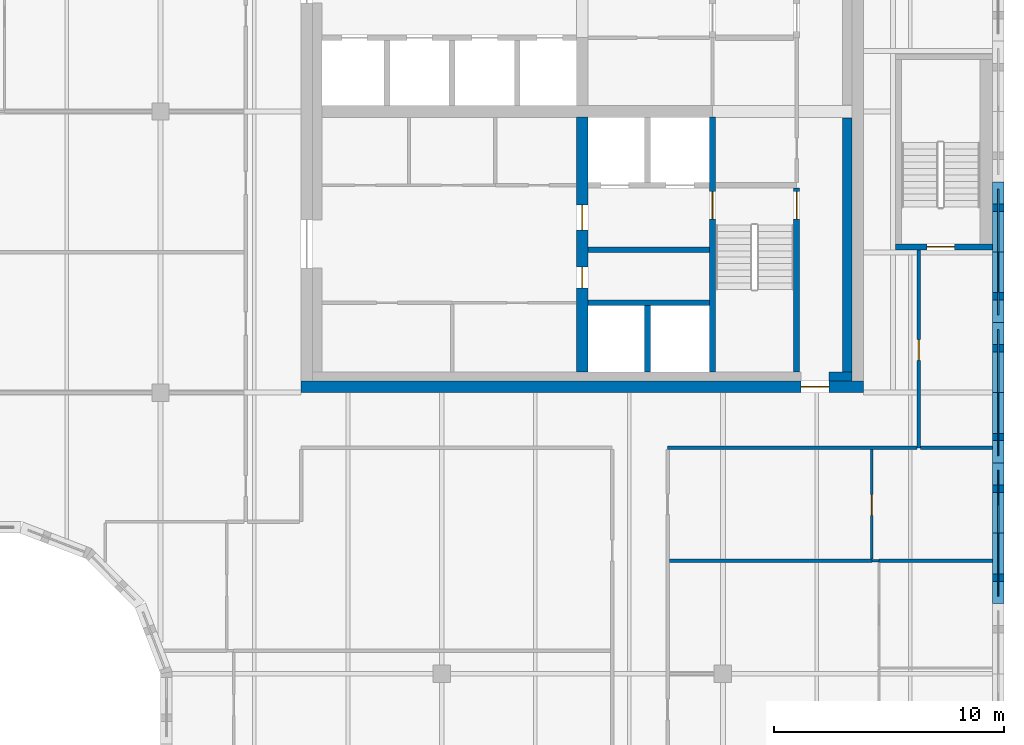
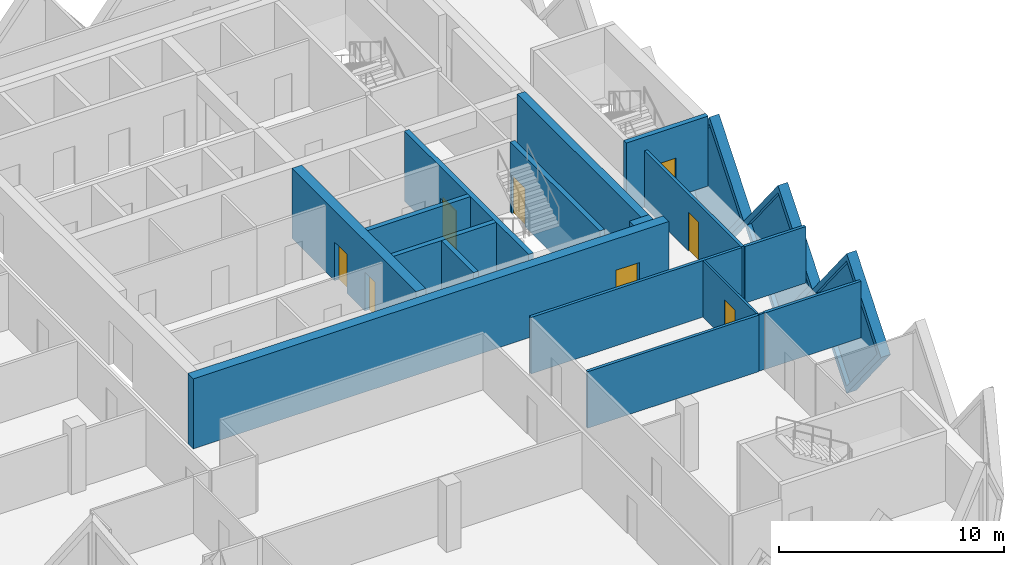
# One storey, part 6 of 12: 20 walls, 8 doors, 3 plates, 11 openings.
"""IFC4 building model written with IfcOpenShell, lengths in metres."""

from ifc_helpers import new_model, si_unit, direction, frame, frame_2d, origin, place, context, subcontext, project, spatial, polyline, rectangle, outline, extrude, faceted_brep, source, transform, mapped, material, layer, layer_set, type_object, element, fill, save


model = new_model("IFC4")

# Units and contexts
model_context = context("Model", 3, precision=1e-05, world=origin(), true_north=direction((0.0, 1.0)))
body_context = subcontext(model_context, "Body", "Model", "MODEL_VIEW")
ifc_project = project(units=[si_unit("LENGTHUNIT", "METRE"), si_unit("AREAUNIT", "SQUARE_METRE"), si_unit("VOLUMEUNIT", "CUBIC_METRE"), si_unit("PLANEANGLEUNIT", "RADIAN"), si_unit("MASSUNIT", "GRAM", prefix="KILO")], contexts=[model_context])

# Site, building, storey
site_placement = place(None, origin())
site = spatial("IfcSite", under=ifc_project, at=site_placement, CompositionType="ELEMENT")
building_placement = place(site_placement, origin())
building = spatial("IfcBuilding", under=site, at=building_placement, Name="Tessera Gate Towers", CompositionType="ELEMENT")
storey_placement = place(building_placement, frame((0.0, 0.0, 216.89990234375)))
storey = spatial("IfcBuildingStorey", under=building, at=storey_placement, Name="L54", CompositionType="ELEMENT", Elevation=216.89990234375)

# Wall, opening, door
ifc_material_1 = material(Name="Concrete C40/50", Category="concrete")
ifc_layer_1 = layer(ifc_material_1, 0.25)
ifc_layer_set_1 = layer_set([ifc_layer_1], Name="CORE ENCLOSURE WALL 250")
wall_type_1 = type_object("IfcWallType", Name="CORE ENCLOSURE WALL 250", PredefinedType="SOLIDWALL", material=ifc_layer_set_1)
wall_1_placement = place(storey_placement, frame((48.35009765625, 36.35009765625, 0.0), z_axis=(0.0, 0.0, 1.0), x_axis=(0.0, -1.0, 0.0)))
wall_1 = element("IfcWall", 1, at=wall_1_placement, inside=storey, type_object=wall_type_1, Name="L54 shaft and stair enclosure wall", PredefinedType="SOLIDWALL", context=body_context, shape_type="SweptSolid", body=[
    extrude(rectangle(XDim=11.050048828125, YDim=0.25, at=frame_2d((5.52490234375, 0.0))), origin(), (0.0, 0.0, 1.0), 3.800048828125),
])
shared_shape_1 = source(origin(), body_context, "Body", "SweptSolid", [
    extrude(rectangle(XDim=1.199951171875, YDim=2.10009765625, at=frame_2d((0.60009765625, 1.050048828125))), frame((0.0, 0.135009765625, 0.0), z_axis=(0.0, -1.0, 0.0), x_axis=(1.0, 0.0, 0.0)), (0.0, 0.0, 1.0), 0.27001953125),
])
opening_1_placement = place(wall_1_placement, frame((3.22509765625, 0.0, 0.0)))
opening_1 = element("IfcOpeningElement", 2, at=opening_1_placement, cuts=wall_1, Name="Opening SD-ST1-1", PredefinedType="OPENING", context=body_context, shape_type="MappedRepresentation", body=[
    mapped(shared_shape_1, transform((0.0, 0.0, 0.0), scale=1.0)),
])
ifc_material_2 = material(Name="Hollow steel fire door", Category="steel")
door_type_1 = type_object("IfcDoorType", Name="CORE DOOR SD 1200x2100", OperationType="NOTDEFINED", PredefinedType="DOOR", material=ifc_material_2)
shared_shape_2 = source(origin(), body_context, "Body", "SweptSolid", [
    extrude(rectangle(XDim=1.199951171875, YDim=2.10009765625, at=frame_2d((0.60009765625, 1.050048828125))), frame((0.0, 0.02490234375, 0.0), z_axis=(0.0, -1.0, 0.0), x_axis=(1.0, 0.0, 0.0)), (0.0, 0.0, 1.0), 0.050048828125),
])
door_1_placement = place(opening_1_placement, origin())
door_1 = element("IfcDoor", 3, at=door_1_placement, inside=storey, type_object=door_type_1, Name="Stair door", OperationType="SINGLE_SWING_LEFT", OverallHeight=2.10009765625, OverallWidth=1.199951171875, PredefinedType="DOOR", context=body_context, shape_type="MappedRepresentation", body=[
    mapped(shared_shape_2, transform((0.0, 0.0, 0.0), scale=1.0)),
])
fill(opening_1, door_1)

wall_2_placement = place(storey_placement, frame((52.0, 25.300048828125, 0.0), z_axis=(0.0, 0.0, 1.0), x_axis=(0.0, 1.0, 0.0)))
wall_2 = element("IfcWall", 4, at=wall_2_placement, inside=storey, type_object=wall_type_1, Name="L54 shaft and stair enclosure wall", PredefinedType="SOLIDWALL", context=body_context, shape_type="SweptSolid", body=[
    extrude(rectangle(XDim=7.974853515625, YDim=0.25, at=frame_2d((3.9873046875, 0.0))), origin(), (0.0, 0.0, 1.0), 3.800048828125),
])
opening_2_placement = place(wall_2_placement, frame((6.625, 0.0, 0.0)))
opening_2 = element("IfcOpeningElement", 5, at=opening_2_placement, cuts=wall_2, Name="Opening SD-ST1-2", PredefinedType="OPENING", context=body_context, shape_type="MappedRepresentation", body=[
    mapped(shared_shape_1, transform((0.0, 0.0, 0.0), scale=1.0)),
])
door_2_placement = place(opening_2_placement, origin())
door_2 = element("IfcDoor", 6, at=door_2_placement, inside=storey, type_object=door_type_1, Name="Stair door", OperationType="SINGLE_SWING_RIGHT", OverallHeight=2.10009765625, OverallWidth=1.199951171875, PredefinedType="DOOR", context=body_context, shape_type="MappedRepresentation", body=[
    mapped(shared_shape_2, transform((0.0, 0.0, 0.0), scale=1.0)),
])
fill(opening_2, door_2)

# Walls
for number, where, z_axis, x_axis, name in (
    (7, (42.949951171875, 28.300048828125, 0.0), (0.0, 0.0, 1.0), (1.0, 0.0, 0.0), "L54 shaft and stair enclosure wall"),
    (8, (42.949951171875, 30.60009765625, 0.0), (0.0, 0.0, 1.0), (1.0, 0.0, 0.0), "L54 shaft and stair enclosure wall"),
):
    element("IfcWall", number, at=place(storey_placement, frame(where, z_axis=z_axis, x_axis=x_axis)), inside=storey, type_object=wall_type_1, Name=name, PredefinedType="SOLIDWALL", context=body_context, shape_type="SweptSolid", body=[
        extrude(rectangle(XDim=5.275146484375, YDim=0.25, at=frame_2d((2.6376953125, 0.0))), origin(), (0.0, 0.0, 1.0), 3.800048828125),
    ])
wall_3_placement = place(storey_placement, frame((45.52490234375, 25.300048828125, 0.0), z_axis=(0.0, 0.0, 1.0), x_axis=(0.0, 1.0, 0.0)))
element("IfcWall", 9, at=wall_3_placement, inside=storey, type_object=wall_type_1, Name="L54 shaft and stair enclosure wall", PredefinedType="SOLIDWALL", context=body_context, shape_type="SweptSolid", body=[
    extrude(rectangle(XDim=2.875, YDim=0.25, at=frame_2d((1.4375, 0.0))), origin(), (0.0, 0.0, 1.0), 3.800048828125),
])

# Wall, opening, door
wall_4_placement = place(storey_placement, frame((60.5, 30.72509765625, 0.0), z_axis=(0.0, 0.0, 1.0), x_axis=(-1.0, 0.0, 0.0)))
wall_4 = element("IfcWall", 10, at=wall_4_placement, inside=storey, type_object=wall_type_1, Name="L54 ST5 enclosure wall", PredefinedType="SOLIDWALL", context=body_context, shape_type="SweptSolid", body=[
    extrude(rectangle(XDim=4.199951171875, YDim=0.25, at=frame_2d((2.10009765625, 0.0))), origin(), (0.0, 0.0, 1.0), 3.800048828125),
])
opening_3_placement = place(wall_4_placement, frame((1.64990234375, 0.0, 0.0)))
opening_3 = element("IfcOpeningElement", 11, at=opening_3_placement, cuts=wall_4, Name="Opening SD-ST5-1", PredefinedType="OPENING", context=body_context, shape_type="MappedRepresentation", body=[
    mapped(shared_shape_1, transform((0.0, 0.0, 0.0), scale=1.0)),
])
door_3_placement = place(opening_3_placement, origin())
door_3 = element("IfcDoor", 12, at=door_3_placement, inside=storey, type_object=door_type_1, Name="Stair door", OperationType="SINGLE_SWING_RIGHT", OverallHeight=2.10009765625, OverallWidth=1.199951171875, PredefinedType="DOOR", context=body_context, shape_type="MappedRepresentation", body=[
    mapped(shared_shape_2, transform((0.0, 0.0, 0.0), scale=1.0)),
])
fill(opening_3, door_3)

ifc_material_3 = material(Name="Concrete C50/60", Category="concrete")
ifc_layer_2 = layer(ifc_material_3, 0.5)
ifc_layer_set_2 = layer_set([ifc_layer_2], Name="CORE SHEAR WALL 500 C50/60")
wall_type_2 = type_object("IfcWallType", Name="CORE SHEAR WALL 500 C50/60", PredefinedType="SHEAR", material=ifc_layer_set_2)
wall_5_placement = place(storey_placement, frame((54.89990234375, 24.64990234375, 0.0), z_axis=(0.0, 0.0, 1.0), x_axis=(-1.0, 0.0, 0.0)))
wall_5 = element("IfcWall", 13, at=wall_5_placement, inside=storey, type_object=wall_type_2, Name="Core wall S L54", PredefinedType="SHEAR", context=body_context, shape_type="SweptSolid", body=[
    extrude(rectangle(XDim=24.39990234375, YDim=0.5, at=frame_2d((12.199951171875, 0.0))), origin(), (0.0, 0.0, 1.0), 3.800048828125),
])
shared_shape_3 = source(origin(), body_context, "Body", "SweptSolid", [
    extrude(rectangle(XDim=1.199951171875, YDim=2.10009765625, at=frame_2d((0.60009765625, 1.050048828125))), frame((0.0, 0.260009765625, 0.0), z_axis=(0.0, -1.0, 0.0), x_axis=(1.0, 0.0, 0.0)), (0.0, 0.0, 1.0), 0.52001953125),
])
opening_4_placement = place(wall_5_placement, frame((1.5, 0.0, 0.0)))
opening_4 = element("IfcOpeningElement", 14, at=opening_4_placement, cuts=wall_5, Name="Opening ED-T1-33-01", PredefinedType="OPENING", context=body_context, shape_type="MappedRepresentation", body=[
    mapped(shared_shape_3, transform((0.0, 0.0, 0.0), scale=1.0)),
])
ifc_material_4 = material(Name="Hollow steel fire door", Category="steel")
door_type_2 = type_object("IfcDoorType", Name="CORE DOOR ED 1200x2100", OperationType="NOTDEFINED", PredefinedType="DOOR", material=ifc_material_4)
door_4_placement = place(opening_4_placement, origin())
door_4 = element("IfcDoor", 15, at=door_4_placement, inside=storey, type_object=door_type_2, Name="Core exit door", OperationType="SINGLE_SWING_LEFT", OverallHeight=2.10009765625, OverallWidth=1.199951171875, PredefinedType="DOOR", context=body_context, shape_type="MappedRepresentation", body=[
    mapped(shared_shape_2, transform((0.0, 0.0, 0.0), scale=1.0)),
])
fill(opening_4, door_4)

# Wall, openings, doors
ifc_material_5 = material(Name="Concrete C50/60", Category="concrete")
ifc_layer_3 = layer(ifc_material_5, 0.5)
ifc_layer_set_3 = layer_set([ifc_layer_3], Name="CORE SPINE WALL 500 C50/60")
wall_type_3 = type_object("IfcWallType", Name="CORE SPINE WALL 500 C50/60", PredefinedType="SHEAR", material=ifc_layer_set_3)
wall_6_placement = place(storey_placement, frame((42.699951171875, 36.35009765625, 0.0), z_axis=(0.0, 0.0, 1.0), x_axis=(0.0, -1.0, 0.0)))
wall_6 = element("IfcWall", 16, at=wall_6_placement, inside=storey, type_object=wall_type_3, Name="Core wall spine L54", PredefinedType="SHEAR", context=body_context, shape_type="SweptSolid", body=[
    extrude(rectangle(XDim=11.050048828125, YDim=0.5, at=frame_2d((5.52490234375, 0.0))), origin(), (0.0, 0.0, 1.0), 3.800048828125),
])
shared_shape_4 = source(origin(), body_context, "Body", "SweptSolid", [
    extrude(rectangle(XDim=0.89990234375, YDim=2.10009765625, at=frame_2d((0.449951171875, 1.050048828125))), frame((0.0, 0.260009765625, 0.0), z_axis=(0.0, -1.0, 0.0), x_axis=(1.0, 0.0, 0.0)), (0.0, 0.0, 1.0), 0.52001953125),
])
opening_5_placement = place(wall_6_placement, frame((6.5, 0.0, 0.0)))
opening_5 = element("IfcOpeningElement", 17, at=opening_5_placement, cuts=wall_6, Name="Opening RD-T1-33-05", PredefinedType="OPENING", context=body_context, shape_type="MappedRepresentation", body=[
    mapped(shared_shape_4, transform((0.0, 0.0, 0.0), scale=1.0)),
])
shared_shape_5 = source(origin(), body_context, "Body", "SweptSolid", [
    extrude(rectangle(XDim=1.10009765625, YDim=2.10009765625, at=frame_2d((0.550048828125, 1.050048828125))), frame((0.0, 0.260009765625, 0.0), z_axis=(0.0, -1.0, 0.0), x_axis=(1.0, 0.0, 0.0)), (0.0, 0.0, 1.0), 0.52001953125),
])
opening_6_placement = place(wall_6_placement, frame((3.800048828125, 0.0, 0.0)))
opening_6 = element("IfcOpeningElement", 18, at=opening_6_placement, cuts=wall_6, Name="Opening FD-T1-33-06", PredefinedType="OPENING", context=body_context, shape_type="MappedRepresentation", body=[
    mapped(shared_shape_5, transform((0.0, 0.0, 0.0), scale=1.0)),
])
ifc_material_6 = material(Name="Hollow steel fire door", Category="steel")
door_type_3 = type_object("IfcDoorType", Name="CORE DOOR RD 900x2100", OperationType="NOTDEFINED", PredefinedType="DOOR", material=ifc_material_6)
shared_shape_6 = source(origin(), body_context, "Body", "SweptSolid", [
    extrude(rectangle(XDim=0.89990234375, YDim=2.10009765625, at=frame_2d((0.449951171875, 1.050048828125))), frame((0.0, 0.02490234375, 0.0), z_axis=(0.0, -1.0, 0.0), x_axis=(1.0, 0.0, 0.0)), (0.0, 0.0, 1.0), 0.050048828125),
])
door_5_placement = place(opening_5_placement, origin())
door_5 = element("IfcDoor", 19, at=door_5_placement, inside=storey, type_object=door_type_3, Name="Core room door", OperationType="SINGLE_SWING_RIGHT", OverallHeight=2.10009765625, OverallWidth=0.89990234375, PredefinedType="DOOR", context=body_context, shape_type="MappedRepresentation", body=[
    mapped(shared_shape_6, transform((0.0, 0.0, 0.0), scale=1.0)),
])
fill(opening_5, door_5)
ifc_material_7 = material(Name="Hollow steel fire door", Category="steel")
door_type_4 = type_object("IfcDoorType", Name="CORE DOOR FD 1100x2100", OperationType="NOTDEFINED", PredefinedType="DOOR", material=ifc_material_7)
shared_shape_7 = source(origin(), body_context, "Body", "SweptSolid", [
    extrude(rectangle(XDim=1.10009765625, YDim=2.10009765625, at=frame_2d((0.550048828125, 1.050048828125))), frame((0.0, 0.02490234375, 0.0), z_axis=(0.0, -1.0, 0.0), x_axis=(1.0, 0.0, 0.0)), (0.0, 0.0, 1.0), 0.050048828125),
])
door_6_placement = place(opening_6_placement, origin())
door_6 = element("IfcDoor", 20, at=door_6_placement, inside=storey, type_object=door_type_4, Name="Fire-fighting lobby door", OperationType="SINGLE_SWING_LEFT", OverallHeight=2.10009765625, OverallWidth=1.10009765625, PredefinedType="DOOR", context=body_context, shape_type="MappedRepresentation", body=[
    mapped(shared_shape_7, transform((0.0, 0.0, 0.0), scale=1.0)),
])
fill(opening_6, door_6)

# Walls
ifc_material_8 = material(Name="Concrete C50/60", Category="concrete")
ifc_layer_4 = layer(ifc_material_8, 0.39990234375)
ifc_layer_set_4 = layer_set([ifc_layer_4], Name="CORE WALL THICKENING 400")
wall_type_4 = type_object("IfcWallType", Name="CORE WALL THICKENING 400", PredefinedType="SOLIDWALL", material=ifc_layer_set_4)
wall_7_placement = place(storey_placement, frame((53.39990234375, 25.10009765625, 0.0), z_axis=(0.0, 0.0, 1.0), x_axis=(1.0, 0.0, 0.0)))
element("IfcWall", 21, at=wall_7_placement, inside=storey, type_object=wall_type_4, Name="Core wall thickening S L54", PredefinedType="SOLIDWALL", context=body_context, shape_type="SweptSolid", body=[
    extrude(rectangle(XDim=1.0, YDim=0.39990234375, at=frame_2d((0.5, 0.0))), origin(), (0.0, 0.0, 1.0), 3.800048828125),
])
wall_8_placement = place(storey_placement, frame((54.199951171875, 25.300048828125, 0.0), z_axis=(0.0, 0.0, 1.0), x_axis=(0.0, 1.0, 0.0)))
element("IfcWall", 22, at=wall_8_placement, inside=storey, type_object=wall_type_4, Name="Core wall thickening E L54", PredefinedType="SOLIDWALL", context=body_context, shape_type="SweptSolid", body=[
    extrude(rectangle(XDim=11.02001953125, YDim=0.39990234375, at=frame_2d((5.510009765625, 0.0))), origin(), (0.0, 0.0, 1.0), 3.800048828125),
])
ifc_material_9 = material(Name="Gypsum board on steel studs, mineral wool", Category="steel")
ifc_layer_5 = layer(ifc_material_9, 0.14990234375)
ifc_layer_set_5 = layer_set([ifc_layer_5], Name="CORRIDOR WALL 150")
wall_type_5 = type_object("IfcWallType", Name="CORRIDOR WALL 150", PredefinedType="PARTITIONING", material=ifc_layer_set_5)
wall_9_placement = place(storey_placement, frame((46.39990234375, 22.0, 0.0), z_axis=(0.0, 0.0, 1.0), x_axis=(1.0, 0.0, 0.0)))
element("IfcWall", 23, at=wall_9_placement, inside=storey, type_object=wall_type_5, Name="T1-L54-PW-029", PredefinedType="PARTITIONING", context=body_context, shape_type="SweptSolid", body=[
    extrude(rectangle(XDim=10.82421875, YDim=0.14990234375, at=frame_2d((5.412109375, 0.0))), origin(), (0.0, 0.0, 1.0), 3.067138671875),
])

# Wall, opening, door
wall_10_placement = place(storey_placement, frame((57.300048828125, 30.60009765625, 0.0), z_axis=(0.0, 0.0, 1.0), x_axis=(0.0, -1.0, 0.0)))
wall_10 = element("IfcWall", 24, at=wall_10_placement, inside=storey, type_object=wall_type_5, Name="T1-L54-PW-030", PredefinedType="PARTITIONING", context=body_context, shape_type="SweptSolid", body=[
    extrude(rectangle(XDim=8.60009765625, YDim=0.14990234375, at=frame_2d((4.300048828125, 0.0))), origin(), (0.0, 0.0, 1.0), 3.067138671875),
])
shared_shape_8 = source(origin(), body_context, "Body", "SweptSolid", [
    extrude(rectangle(XDim=0.89990234375, YDim=2.10009765625, at=frame_2d((0.449951171875, 1.050048828125))), frame((0.0, 0.0849609375, 0.0), z_axis=(0.0, -1.0, 0.0), x_axis=(1.0, 0.0, 0.0)), (0.0, 0.0, 1.0), 0.169921875),
])
opening_7_placement = place(wall_10_placement, frame((3.89990234375, 0.0, 0.0)))
opening_7 = element("IfcOpeningElement", 25, at=opening_7_placement, cuts=wall_10, Name="Opening D890FD60-A19-06", PredefinedType="OPENING", context=body_context, shape_type="MappedRepresentation", body=[
    mapped(shared_shape_8, transform((0.0, 0.0, 0.0), scale=1.0)),
])
ifc_material_10 = material(Name="Timber door leaf in steel frame", Category="steel")
door_type_5 = type_object("IfcDoorType", Name="CORRIDOR DOOR 900 FD60", OperationType="NOTDEFINED", PredefinedType="DOOR", material=ifc_material_10)
door_7_placement = place(opening_7_placement, origin())
door_7 = element("IfcDoor", 26, at=door_7_placement, inside=storey, type_object=door_type_5, Name="T1-L54-PD-021", OperationType="SINGLE_SWING_RIGHT", OverallHeight=2.10009765625, OverallWidth=0.89990234375, PredefinedType="DOOR", context=body_context, shape_type="MappedRepresentation", body=[
    mapped(shared_shape_6, transform((0.0, 0.0, 0.0), scale=1.0)),
])
fill(opening_7, door_7)

# Wall
ifc_material_11 = material(Name="Glass", Category="glass")
ifc_layer_6 = layer(ifc_material_11, 0.10009765625)
ifc_layer_set_6 = layer_set([ifc_layer_6], Name="GLAZED PARTITION 100")
wall_type_6 = type_object("IfcWallType", Name="GLAZED PARTITION 100", PredefinedType="PARTITIONING", material=ifc_layer_set_6)
wall_11_placement = place(storey_placement, frame((55.26611328125, 17.10009765625, 0.0), z_axis=(0.0, 0.0, 1.0), x_axis=(1.0, 0.0, 0.0)))
element("IfcWall", 27, at=wall_11_placement, inside=storey, type_object=wall_type_6, Name="T1-L54-PW-019", PredefinedType="PARTITIONING", context=body_context, shape_type="SweptSolid", body=[
    extrude(rectangle(XDim=0.307861328125, YDim=0.10009765625, at=frame_2d((0.15380859375, 0.0))), origin(), (0.0, 0.0, 1.0), 3.067138671875),
])

# Wall, opening, door
wall_12_placement = place(storey_placement, frame((55.264892578125, 21.924072265625, 0.0), z_axis=(0.0, 0.0, 1.0), x_axis=(0.0, -1.0, 0.0)))
wall_12 = element("IfcWall", 28, at=wall_12_placement, inside=storey, type_object=wall_type_6, Name="T1-L54-PW-021", PredefinedType="PARTITIONING", context=body_context, shape_type="SweptSolid", body=[
    extrude(rectangle(XDim=4.748046875, YDim=0.10009765625, at=frame_2d((2.3740234375, 0.0))), origin(), (0.0, 0.0, 1.0), 3.067138671875),
])
shared_shape_9 = source(origin(), body_context, "Body", "SweptSolid", [
    extrude(rectangle(XDim=0.89990234375, YDim=2.10009765625, at=frame_2d((0.449951171875, 1.050048828125))), frame((0.0, 0.06005859375, 0.0), z_axis=(0.0, -1.0, 0.0), x_axis=(1.0, 0.0, 0.0)), (0.0, 0.0, 1.0), 0.1201171875),
])
opening_8_placement = place(wall_12_placement, frame((1.947998046875, 0.0, 0.0)))
opening_8 = element("IfcOpeningElement", 29, at=opening_8_placement, cuts=wall_12, Name="Opening D690-A19-02", PredefinedType="OPENING", context=body_context, shape_type="MappedRepresentation", body=[
    mapped(shared_shape_9, transform((0.0, 0.0, 0.0), scale=1.0)),
])
ifc_material_12 = material(Name="Glass in aluminium frame", Category="aluminium")
door_type_6 = type_object("IfcDoorType", Name="GLAZED DOOR 900 NOT RATED", OperationType="NOTDEFINED", PredefinedType="DOOR", material=ifc_material_12)
door_8_placement = place(opening_8_placement, origin())
door_8 = element("IfcDoor", 30, at=door_8_placement, inside=storey, type_object=door_type_6, Name="T1-L54-PD-007", OperationType="SINGLE_SWING_RIGHT", OverallHeight=2.10009765625, OverallWidth=0.89990234375, PredefinedType="DOOR", context=body_context, shape_type="MappedRepresentation", body=[
    mapped(shared_shape_6, transform((0.0, 0.0, 0.0), scale=1.0)),
])
fill(opening_8, door_8)

# Walls
ifc_material_13 = material(Name="Gypsum board on steel studs, mineral wool", Category="steel")
ifc_layer_7 = layer(ifc_material_13, 0.14990234375)
ifc_layer_set_7 = layer_set([ifc_layer_7], Name="TENANCY WALL 150")
wall_type_7 = type_object("IfcWallType", Name="TENANCY WALL 150", PredefinedType="PARTITIONING", material=ifc_layer_set_7)
wall_13_placement = place(storey_placement, frame((46.47607421875, 17.10009765625, 0.0), z_axis=(0.0, 0.0, 1.0), x_axis=(1.0, 0.0, 0.0)))
element("IfcWall", 31, at=wall_13_placement, inside=storey, type_object=wall_type_7, Name="T1-L54-PW-018", PredefinedType="PARTITIONING", context=body_context, shape_type="SweptSolid", body=[
    extrude(rectangle(XDim=8.788818359375, YDim=0.14990234375, at=frame_2d((4.39453125, 0.0))), origin(), (0.0, 0.0, 1.0), 3.067138671875),
])
wall_14_placement = place(storey_placement, frame((55.574951171875, 17.10009765625, 0.0), z_axis=(0.0, 0.0, 1.0), x_axis=(1.0, 0.0, 0.0)))
element("IfcWall", 32, at=wall_14_placement, inside=storey, type_object=wall_type_7, Name="T1-L54-PW-020", PredefinedType="PARTITIONING", context=body_context, shape_type="SweptSolid", body=[
    extrude(rectangle(XDim=4.925048828125, YDim=0.14990234375, at=frame_2d((2.46240234375, 0.0))), origin(), (0.0, 0.0, 1.0), 3.067138671875),
])
wall_15_placement = place(storey_placement, frame((57.3759765625, 22.0, 0.0), z_axis=(0.0, 0.0, 1.0), x_axis=(1.0, 0.0, 0.0)))
element("IfcWall", 33, at=wall_15_placement, inside=storey, type_object=wall_type_7, Name="T1-L54-PW-031", PredefinedType="PARTITIONING", context=body_context, shape_type="SweptSolid", body=[
    extrude(rectangle(XDim=3.1240234375, YDim=0.14990234375, at=frame_2d((1.56201171875, 0.0))), origin(), (0.0, 0.0, 1.0), 3.067138671875),
])

# Wall, opening, plate
ifc_material_14 = material(Name="Precast concrete C60/75 white", Category="concrete")
ifc_layer_8 = layer(ifc_material_14, 0.5)
ifc_layer_set_8 = layer_set([ifc_layer_8], Name="TS1 tessera")
wall_type_8 = type_object("IfcWallType", Name="TS1 tessera", PredefinedType="SOLIDWALL", material=ifc_layer_set_8)
shared_shape_10 = source(origin(), body_context, "Body", "Brep", [
    faceted_brep([(3.050048828125, -0.25, 0.0), (6.099853515625, -0.25, 3.799560546875), (6.099853515625, -0.25, 3.800048828125), (3.050048828125, -0.25, 7.599853515625), (0.0, -0.25, 3.7998046875), (0.0, 0.25, 3.7998046875), (3.050048828125, 0.25, 7.599853515625), (6.099853515625, 0.25, 3.800048828125), (6.099853515625, 0.25, 3.799560546875), (3.050048828125, 0.25, 0.0)], [[[0, 1, 2, 3, 4]], [[5, 6, 7, 8, 9]], [[9, 8, 1, 0]], [[7, 6, 3, 2]], [[6, 5, 4, 3]], [[5, 9, 0, 4]], [[1, 8, 7, 2]]]),
])
wall_16_placement = place(storey_placement, frame((60.75, 21.35009765625, -3.7998046875), z_axis=(0.0, 0.0, 1.0), x_axis=(0.0, 1.0, 0.0)))
wall_16 = element("IfcWall", 34, at=wall_16_placement, inside=storey, type_object=wall_type_8, Name="Precast tessera T1 TS1-0949", PredefinedType="SOLIDWALL", context=body_context, shape_type="MappedRepresentation", body=[
    mapped(shared_shape_10, transform((0.0, 0.0, 0.0), scale=1.0)),
])
shared_shape_11 = source(origin(), body_context, "Body", "SweptSolid", [
    extrude(outline(polyline([(3.050048828125, 0.3994140625), (5.779541015625, 3.7998046875), (3.050048828125, 7.200439453125), (0.320556640625, 3.7998046875), (3.050048828125, 0.3994140625)])), frame((0.0, 0.260009765625, 0.0), z_axis=(0.0, -1.0, 0.0), x_axis=(1.0, 0.0, 0.0)), (0.0, 0.0, 1.0), 0.52001953125),
])
opening_9_placement = place(wall_16_placement, origin())
opening_9 = element("IfcOpeningElement", 35, at=opening_9_placement, cuts=wall_16, Name="Opening T1-PL2-1937", PredefinedType="OPENING", context=body_context, shape_type="MappedRepresentation", body=[
    mapped(shared_shape_11, transform((0.0, 0.0, 0.0), scale=1.0)),
])
ifc_material_15 = material(Name="Low-e laminated glass", Category="glass")
ifc_layer_9 = layer(ifc_material_15, 0.06005859375)
ifc_layer_set_9 = layer_set([ifc_layer_9], Name="PL2 rhombic pane")
plate_type = type_object("IfcPlateType", Name="PL2 rhombic pane", PredefinedType="SHEET", material=ifc_layer_set_9)
shared_shape_12 = source(origin(), body_context, "Body", "SweptSolid", [
    extrude(outline(polyline([(3.050048828125, 0.3994140625), (5.779541015625, 3.7998046875), (3.050048828125, 7.200439453125), (0.320556640625, 3.7998046875), (3.050048828125, 0.3994140625)])), frame((0.0, 0.030029296875, 0.0), z_axis=(0.0, -1.0, 0.0), x_axis=(1.0, 0.0, 0.0)), (0.0, 0.0, 1.0), 0.06005859375),
])
plate_1_placement = place(opening_9_placement, origin())
plate_1 = element("IfcPlate", 36, at=plate_1_placement, inside=storey, type_object=plate_type, Name="Glass pane T1 PL2-1937", PredefinedType="SHEET", context=body_context, shape_type="MappedRepresentation", body=[
    mapped(shared_shape_12, transform((0.0, 0.0, 0.0), scale=1.0)),
])
fill(opening_9, plate_1)

shared_shape_13 = source(origin(), body_context, "Body", "SweptSolid", [
    extrude(outline(polyline([(3.050048828125, 0.0), (6.10009765625, 3.7998046875), (3.050048828125, 7.599853515625), (0.0, 3.7998046875), (3.050048828125, 0.0)])), frame((0.0, 0.25, 0.0), z_axis=(0.0, -1.0, 0.0), x_axis=(1.0, 0.0, 0.0)), (0.0, 0.0, 1.0), 0.5),
])
wall_17_placement = place(storey_placement, frame((60.75, 15.25, -3.7998046875), z_axis=(0.0, 0.0, 1.0), x_axis=(0.0, 1.0, 0.0)))
wall_17 = element("IfcWall", 37, at=wall_17_placement, inside=storey, type_object=wall_type_8, Name="Precast tessera T1 TS1-0948", PredefinedType="SOLIDWALL", context=body_context, shape_type="MappedRepresentation", body=[
    mapped(shared_shape_13, transform((0.0, 0.0, 0.0), scale=1.0)),
])
opening_10_placement = place(wall_17_placement, origin())
opening_10 = element("IfcOpeningElement", 38, at=opening_10_placement, cuts=wall_17, Name="Opening T1-PL2-1936", PredefinedType="OPENING", context=body_context, shape_type="MappedRepresentation", body=[
    mapped(shared_shape_11, transform((0.0, 0.0, 0.0), scale=1.0)),
])
plate_2_placement = place(opening_10_placement, origin())
plate_2 = element("IfcPlate", 39, at=plate_2_placement, inside=storey, type_object=plate_type, Name="Glass pane T1 PL2-1936", PredefinedType="SHEET", context=body_context, shape_type="MappedRepresentation", body=[
    mapped(shared_shape_12, transform((0.0, 0.0, 0.0), scale=1.0)),
])
fill(opening_10, plate_2)

wall_18_placement = place(storey_placement, frame((60.75, 27.449951171875, -3.7998046875), z_axis=(0.0, 0.0, 1.0), x_axis=(0.0, 1.0, 0.0)))
wall_18 = element("IfcWall", 40, at=wall_18_placement, inside=storey, type_object=wall_type_8, Name="Precast tessera T1 TS1-0950", PredefinedType="SOLIDWALL", context=body_context, shape_type="MappedRepresentation", body=[
    mapped(shared_shape_13, transform((0.0, 0.0, 0.0), scale=1.0)),
])
opening_11_placement = place(wall_18_placement, origin())
opening_11 = element("IfcOpeningElement", 41, at=opening_11_placement, cuts=wall_18, Name="Opening T1-PL2-1938", PredefinedType="OPENING", context=body_context, shape_type="MappedRepresentation", body=[
    mapped(shared_shape_11, transform((0.0, 0.0, 0.0), scale=1.0)),
])
plate_3_placement = place(opening_11_placement, origin())
plate_3 = element("IfcPlate", 42, at=plate_3_placement, inside=storey, type_object=plate_type, Name="Glass pane T1 PL2-1938", PredefinedType="SHEET", context=body_context, shape_type="MappedRepresentation", body=[
    mapped(shared_shape_12, transform((0.0, 0.0, 0.0), scale=1.0)),
])
fill(opening_11, plate_3)

save(model, "model.ifc")
